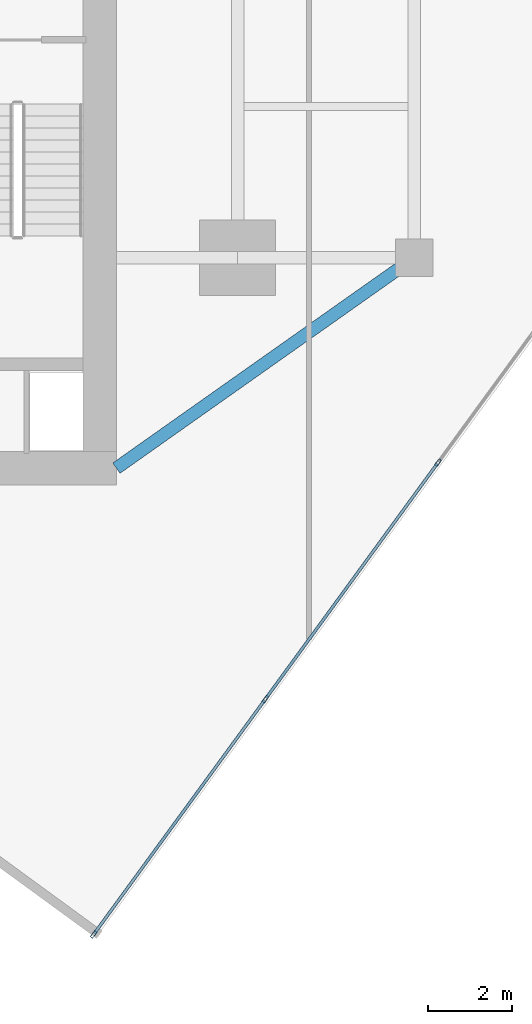
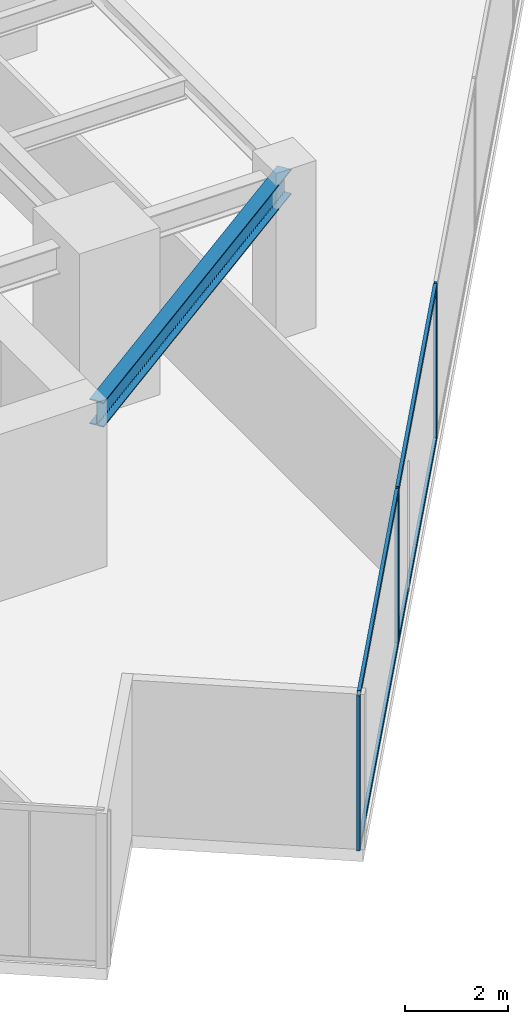
# One storey, part 8 of 25: 7 members, 1 beam, 1 element without a shape of its own.
"""IFC4 building model written with IfcOpenShell, lengths in metres."""

from ifc_helpers import new_model, si_unit, direction, frame, origin, origin_2d, place, context, subcontext, project, spatial, hollow_rectangle, i_section, extrude, source, transform, mapped, material, material_profile, profile_set, type_object, type_shapes, element, aggregate, save


model = new_model("IFC4")

# Units and contexts
model_context = context("Model", 3, precision=1e-05, world=origin(), true_north=direction((0.0, 1.0)))
body_context = subcontext(model_context, "Body", "Model", "MODEL_VIEW")
ifc_project = project(units=[si_unit("LENGTHUNIT", "METRE"), si_unit("AREAUNIT", "SQUARE_METRE"), si_unit("VOLUMEUNIT", "CUBIC_METRE"), si_unit("PLANEANGLEUNIT", "RADIAN"), si_unit("MASSUNIT", "GRAM", prefix="KILO")], contexts=[model_context])

# Site, building, storey
site_placement = place(None, origin())
site = spatial("IfcSite", under=ifc_project, at=site_placement, CompositionType="ELEMENT")
building_placement = place(site_placement, origin())
building = spatial("IfcBuilding", under=site, at=building_placement, Name="Krantzveldt Concourse Tower", CompositionType="ELEMENT")
storey_placement = place(building_placement, frame((0.0, 0.0, 193.60009765625)))
storey = spatial("IfcBuildingStorey", under=building, at=storey_placement, Name="L47", CompositionType="ELEMENT", Elevation=193.60009765625)

# Beam
ifc_material_1 = material(Name="Steel S355JR", Category="steel")
ifc_material_profile_1 = material_profile(ifc_material_1, i_section(OverallWidth=0.300048828125, OverallDepth=0.590087890625, WebThickness=0.012939453125, FlangeThickness=0.02490234375, FilletRadius=0.027099609375, at=origin_2d()), Name="Steel S355JR", Category="steel")
ifc_profile_set_1 = profile_set([ifc_material_profile_1], Name="Steel S355JR - HEA 600")
beam_type = type_object("IfcBeamType", Name="BM-B-HEA600", PredefinedType="BEAM", material=ifc_profile_set_1)
shared_shape_1 = source(origin(), body_context, "Body", "SweptSolid", [
    extrude(i_section(OverallWidth=0.300048828125, OverallDepth=0.590087890625, WebThickness=0.012939453125, FlangeThickness=0.02490234375, FilletRadius=0.027099609375, at=origin_2d()), origin(), (0.0, 0.0, 1.0), 8.667724609375),
])
type_shapes(beam_type, [shared_shape_1])
beam_placement = place(storey_placement, frame((51.0, 15.89990234375, 3.375), z_axis=(-0.81684294656, -0.576860122261, 0.0), x_axis=(0.576860122261, -0.81684294656, 0.0)))
element("IfcBeam", 1, at=beam_placement, inside=storey, type_object=beam_type, Name="L47 Tower Girder BR-CSE", PredefinedType="BEAM", context=body_context, shape_type="MappedRepresentation", body=[
    mapped(shared_shape_1, transform((0.0, 0.0, 0.0), x_axis=(1.0, 0.0, 0.0), y_axis=(0.0, 1.0, 0.0), z_axis=(0.0, 0.0, 1.0), scale=1.0)),
])

# Curtain wall, members
ifc_material_2 = material(Name="Anodised aluminium 6063-T6", Category="aluminium")
curtain_wall_type = type_object("IfcCurtainWallType", Name="CW3", PredefinedType="USERDEFINED", material=ifc_material_2)
curtain_wall_placement = place(storey_placement, origin())
curtain_wall = element("IfcCurtainWall", 2, at=curtain_wall_placement, inside=storey, type_object=curtain_wall_type, Name="CW-L47-F07", ObjectType="UNITISED CURTAIN WALL", PredefinedType="USERDEFINED")
ifc_material_profile_2 = material_profile(ifc_material_2, hollow_rectangle(XDim=0.070068359375, YDim=0.179931640625, WallThickness=0.0048828125, at=origin_2d()), Name="Anodised aluminium 6063-T6", Category="aluminium")
ifc_profile_set_2 = profile_set([ifc_material_profile_2], Name="Anodised aluminium 6063-T6 - ALU-MULL 180x70x5")
member_type_1 = type_object("IfcMemberType", Name="CW-MUL-180", PredefinedType="MULLION", material=ifc_profile_set_2)
shared_shape_2 = source(origin(), body_context, "Body", "SweptSolid", [
    extrude(hollow_rectangle(XDim=0.070068359375, YDim=0.179931640625, WallThickness=0.0048828125, at=origin_2d()), origin(), (0.0, 0.0, 1.0), 3.669921875),
])
type_shapes(member_type_1, [shared_shape_2])
member_1_placement = place(storey_placement, frame((43.379150390625, -0.184326171875, 0.0), z_axis=(0.0, 0.0, 1.0), x_axis=(-0.807732735781, 0.589548833895, 0.0)))
member_1 = element("IfcMember", 3, at=member_1_placement, type_object=member_type_1, Name="CW-Z34 mullion 1", PredefinedType="MULLION", context=body_context, shape_type="MappedRepresentation", body=[
    mapped(shared_shape_2, transform((0.0, 0.0, 0.0), x_axis=(1.0, 0.0, 0.0), y_axis=(0.0, 1.0, 0.0), z_axis=(0.0, 0.0, 1.0), scale=1.0)),
])
member_2_placement = place(storey_placement, frame((47.461669921875, 5.4091796875, 0.0), z_axis=(0.0, 0.0, 1.0), x_axis=(-0.807732735781, 0.589548833895, 0.0)))
member_2 = element("IfcMember", 4, at=member_2_placement, type_object=member_type_1, Name="CW-Z34 mullion 2", PredefinedType="MULLION", context=body_context, shape_type="MappedRepresentation", body=[
    mapped(shared_shape_2, transform((0.0, 0.0, 0.0), x_axis=(1.0, 0.0, 0.0), y_axis=(0.0, 1.0, 0.0), z_axis=(0.0, 0.0, 1.0), scale=1.0)),
])
member_3_placement = place(storey_placement, frame((51.56494140625, 11.031005859375, 0.0), z_axis=(0.0, 0.0, 1.0), x_axis=(-0.807732735781, 0.589548833895, 0.0)))
member_3 = element("IfcMember", 5, at=member_3_placement, type_object=member_type_1, Name="CW-Z34 mullion 3", PredefinedType="MULLION", context=body_context, shape_type="MappedRepresentation", body=[
    mapped(shared_shape_2, transform((0.0, 0.0, 0.0), x_axis=(1.0, 0.0, 0.0), y_axis=(0.0, 1.0, 0.0), z_axis=(0.0, 0.0, 1.0), scale=1.0)),
])
ifc_material_profile_3 = material_profile(ifc_material_2, hollow_rectangle(XDim=0.070068359375, YDim=0.139892578125, WallThickness=0.0048828125, at=origin_2d()), Name="Anodised aluminium 6063-T6", Category="aluminium")
ifc_profile_set_3 = profile_set([ifc_material_profile_3], Name="Anodised aluminium 6063-T6 - ALU-TRAN 140x70x5")
member_type_2 = type_object("IfcMemberType", Name="CW-TRN-150", PredefinedType="USERDEFINED", material=ifc_profile_set_3)
shared_shape_3 = source(origin(), body_context, "Body", "SweptSolid", [
    extrude(hollow_rectangle(XDim=0.070068359375, YDim=0.139892578125, WallThickness=0.0048828125, at=origin_2d()), origin(), (0.0, 0.0, 1.0), 6.85498046875),
])
member_4_placement = place(storey_placement, frame((43.399658203125, -0.156005859375, 0.034912109375), z_axis=(0.589572702153, 0.807715314252, 0.0), x_axis=(-0.807715314252, 0.589572702153, 0.0)))
member_4 = element("IfcMember", 6, at=member_4_placement, type_object=member_type_2, Name="CW-Z34 transom 1.1", ObjectType="TRANSOM", PredefinedType="USERDEFINED", context=body_context, shape_type="MappedRepresentation", body=[
    mapped(shared_shape_3, transform((0.0, 0.0, 0.0), x_axis=(1.0, 0.0, 0.0), y_axis=(0.0, 1.0, 0.0), z_axis=(0.0, 0.0, 1.0), scale=1.0)),
])
member_5_placement = place(storey_placement, frame((43.399658203125, -0.156005859375, 3.635009765625), z_axis=(0.589572702153, 0.807715314252, 0.0), x_axis=(-0.807715314252, 0.589572702153, 0.0)))
member_5 = element("IfcMember", 7, at=member_5_placement, type_object=member_type_2, Name="CW-Z34 transom 1.2", ObjectType="TRANSOM", PredefinedType="USERDEFINED", context=body_context, shape_type="MappedRepresentation", body=[
    mapped(shared_shape_3, transform((0.0, 0.0, 0.0), x_axis=(1.0, 0.0, 0.0), y_axis=(0.0, 1.0, 0.0), z_axis=(0.0, 0.0, 1.0), scale=1.0)),
])
shared_shape_4 = source(origin(), body_context, "Body", "SweptSolid", [
    extrude(hollow_rectangle(XDim=0.070068359375, YDim=0.139892578125, WallThickness=0.0048828125, at=origin_2d()), origin(), (0.0, 0.0, 1.0), 6.889892578125),
])
type_shapes(member_type_2, [shared_shape_3, shared_shape_4])
member_6_placement = place(storey_placement, frame((47.482421875, 5.4375, 0.034912109375), z_axis=(0.589557179589, 0.807726644352, 0.0), x_axis=(-0.807726644352, 0.589557179589, 0.0)))
member_6 = element("IfcMember", 8, at=member_6_placement, type_object=member_type_2, Name="CW-Z34 transom 2.1", ObjectType="TRANSOM", PredefinedType="USERDEFINED", context=body_context, shape_type="MappedRepresentation", body=[
    mapped(shared_shape_4, transform((0.0, 0.0, 0.0), x_axis=(1.0, 0.0, 0.0), y_axis=(0.0, 1.0, 0.0), z_axis=(0.0, 0.0, 1.0), scale=1.0)),
])
member_7_placement = place(storey_placement, frame((47.482421875, 5.4375, 3.635009765625), z_axis=(0.589557179589, 0.807726644352, 0.0), x_axis=(-0.807726644352, 0.589557179589, 0.0)))
member_7 = element("IfcMember", 9, at=member_7_placement, type_object=member_type_2, Name="CW-Z34 transom 2.2", ObjectType="TRANSOM", PredefinedType="USERDEFINED", context=body_context, shape_type="MappedRepresentation", body=[
    mapped(shared_shape_4, transform((0.0, 0.0, 0.0), x_axis=(1.0, 0.0, 0.0), y_axis=(0.0, 1.0, 0.0), z_axis=(0.0, 0.0, 1.0), scale=1.0)),
])
aggregate(curtain_wall, [member_1, member_2, member_3, member_4, member_5, member_6, member_7])

save(model, "model.ifc")
